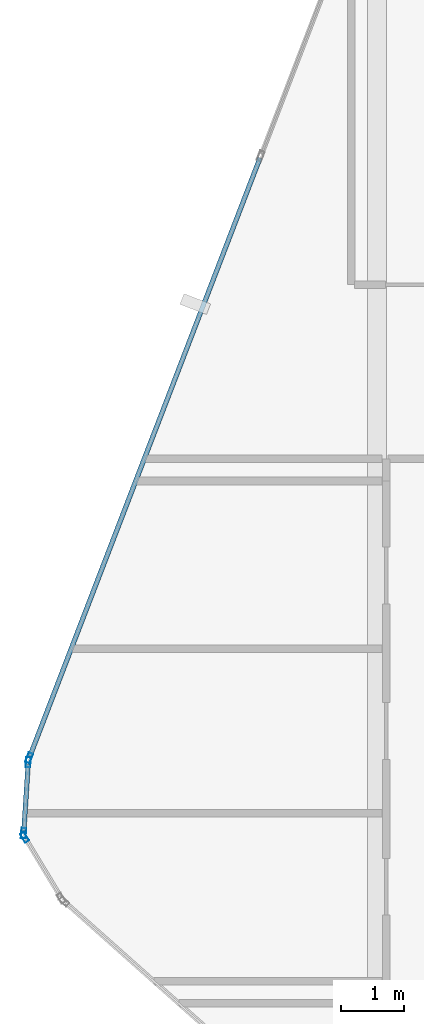
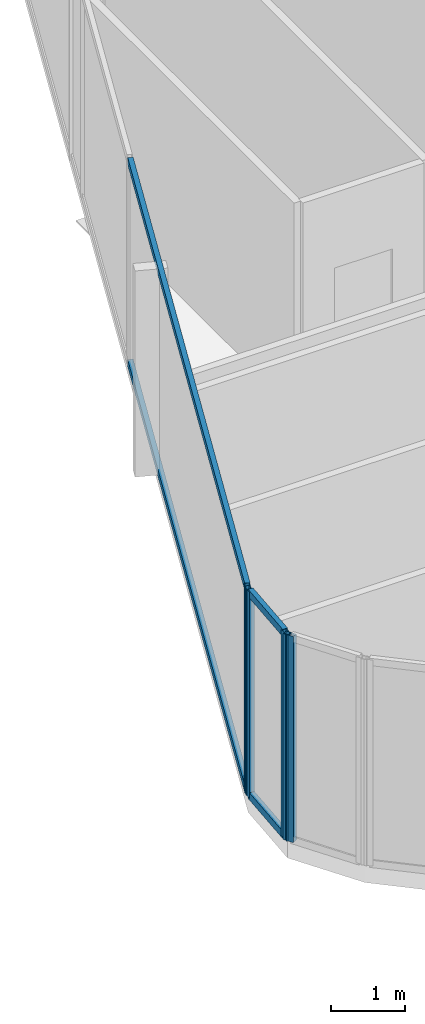
# One storey, part 8 of 28: 8 members, 3 elements without a shape of their own.
"""IFC4 building model written with IfcOpenShell, lengths in metres."""

from ifc_helpers import new_model, si_unit, direction, frame, origin, origin_2d, place, context, subcontext, project, spatial, hollow_rectangle, extrude, material, layer, layer_set, material_profile, profile_set, type_object, element, aggregate, save


model = new_model("IFC4")

# Units and contexts
model_context = context("Model", 3, precision=1e-05, world=origin(), true_north=direction((0.0, 1.0)))
body_context = subcontext(model_context, "Body", "Model", "MODEL_VIEW")
ifc_project = project(units=[si_unit("LENGTHUNIT", "METRE"), si_unit("AREAUNIT", "SQUARE_METRE"), si_unit("VOLUMEUNIT", "CUBIC_METRE"), si_unit("PLANEANGLEUNIT", "RADIAN"), si_unit("MASSUNIT", "GRAM", prefix="KILO")], contexts=[model_context])

# Site, building, storey
site_placement = place(None, origin())
site = spatial("IfcSite", under=ifc_project, at=site_placement, CompositionType="ELEMENT")
building_placement = place(site_placement, origin())
building = spatial("IfcBuilding", under=site, at=building_placement, Name="Keshet Zoharim Tower", CompositionType="ELEMENT")
storey_placement = place(building_placement, frame((0.0, 0.0, 251.0)))
storey = spatial("IfcBuildingStorey", under=building, at=storey_placement, Name="L62", CompositionType="ELEMENT", Elevation=251.0)

# Curtain wall, member
ifc_material = material(Name="Aluminium 6063-T6", Category="aluminium")
ifc_layer = layer(ifc_material, 0.260009765625)
ifc_layer_set = layer_set([ifc_layer], Name="Aluminium 6063-T6")
curtain_wall_type = type_object("IfcCurtainWallType", Name="CW-SYS-06", PredefinedType="NOTDEFINED", material=ifc_layer_set)
curtain_wall_1_placement = place(storey_placement, origin())
curtain_wall_1 = element("IfcCurtainWall", 1, at=curtain_wall_1_placement, inside=storey, type_object=curtain_wall_type, Name="L62 Unitised Curtain Wall 01", PredefinedType="NOTDEFINED")
ifc_material_profile_1 = material_profile(ifc_material, hollow_rectangle(XDim=0.074951171875, YDim=0.159912109375, WallThickness=0.00390625, at=origin_2d()), Name="MUL-75x160")
ifc_profile_set_1 = profile_set([ifc_material_profile_1], Name="Aluminium 6063-T6")
member_type_1 = type_object("IfcMemberType", Name="CWM-M15", PredefinedType="MULLION", material=ifc_profile_set_1)
member_1_placement = place(storey_placement, frame((3.43798828125, 22.77197265625, 0.0), z_axis=(0.0, 0.0, 1.0), x_axis=(-0.856826433805, -0.515604947933, 0.0)))
member_1 = element("IfcMember", 2, at=member_1_placement, type_object=member_type_1, Name="CW-06 mullion 2", PredefinedType="MULLION", context=body_context, shape_type="SweptSolid", body=[
    extrude(hollow_rectangle(XDim=0.074951171875, YDim=0.159912109375, WallThickness=0.00390625, at=origin_2d()), origin(), (0.0, 0.0, 1.0), 3.389892578125),
])
aggregate(curtain_wall_1, [member_1])

# Curtain wall, members
curtain_wall_2_placement = place(storey_placement, origin())
curtain_wall_2 = element("IfcCurtainWall", 3, at=curtain_wall_2_placement, inside=storey, type_object=curtain_wall_type, Name="L62 Unitised Curtain Wall 02", PredefinedType="NOTDEFINED")
member_2_placement = place(storey_placement, frame((3.42236328125, 22.8369140625, 0.0), z_axis=(0.0, 0.0, 1.0), x_axis=(-0.997916617186, 0.064516859374, 0.0)))
member_2 = element("IfcMember", 4, at=member_2_placement, type_object=member_type_1, Name="CW-06 mullion 1", PredefinedType="MULLION", context=body_context, shape_type="SweptSolid", body=[
    extrude(hollow_rectangle(XDim=0.074951171875, YDim=0.159912109375, WallThickness=0.00390625, at=origin_2d()), origin(), (0.0, 0.0, 1.0), 3.389892578125),
])
member_3_placement = place(storey_placement, frame((3.49462890625, 23.9580078125, 0.0), z_axis=(0.0, 0.0, 1.0), x_axis=(-0.997916617186, 0.064516859374, 0.0)))
member_3 = element("IfcMember", 5, at=member_3_placement, type_object=member_type_1, Name="CW-06 mullion 2", PredefinedType="MULLION", context=body_context, shape_type="SweptSolid", body=[
    extrude(hollow_rectangle(XDim=0.074951171875, YDim=0.159912109375, WallThickness=0.00390625, at=origin_2d()), origin(), (0.0, 0.0, 1.0), 3.389892578125),
])

# Curtain wall, member
curtain_wall_3_placement = place(storey_placement, origin())
curtain_wall_3 = element("IfcCurtainWall", 6, at=curtain_wall_3_placement, inside=storey, type_object=curtain_wall_type, Name="L62 Unitised Curtain Wall 03", PredefinedType="NOTDEFINED")
member_4_placement = place(storey_placement, frame((3.509521484375, 24.025634765625, 0.0), z_axis=(0.0, 0.0, 1.0), x_axis=(-0.933341404361, 0.358990003907, 0.0)))
member_4 = element("IfcMember", 7, at=member_4_placement, type_object=member_type_1, Name="CW-06 mullion 1", PredefinedType="MULLION", context=body_context, shape_type="SweptSolid", body=[
    extrude(hollow_rectangle(XDim=0.074951171875, YDim=0.159912109375, WallThickness=0.00390625, at=origin_2d()), origin(), (0.0, 0.0, 1.0), 3.389892578125),
])

# Member
ifc_material_profile_2 = material_profile(ifc_material, hollow_rectangle(XDim=0.074951171875, YDim=0.1201171875, WallThickness=0.00390625, at=origin_2d()), Name="TRN-75x120")
ifc_profile_set_2 = profile_set([ifc_material_profile_2], Name="Aluminium 6063-T6")
member_type_2 = type_object("IfcMemberType", Name="CWT-T12", PredefinedType="USERDEFINED", material=ifc_profile_set_2)
member_5_placement = place(storey_placement, frame((3.424560546875, 22.871826171875, 0.034912109375), z_axis=(0.064426947155, 0.997922426083, 0.0), x_axis=(-0.997922426083, 0.064426947155, 0.0)))
member_5 = element("IfcMember", 8, at=member_5_placement, type_object=member_type_2, Name="CW-06 transom 1.1", ObjectType="TRANSOM", PredefinedType="USERDEFINED", context=body_context, shape_type="SweptSolid", body=[
    extrude(hollow_rectangle(XDim=0.074951171875, YDim=0.1201171875, WallThickness=0.00390625, at=origin_2d()), origin(), (0.0, 0.0, 1.0), 1.053466796875),
])

member_6_placement = place(storey_placement, frame((3.424560546875, 22.871826171875, 3.35498046875), z_axis=(0.064426947155, 0.997922426083, 0.0), x_axis=(-0.997922426083, 0.064426947155, 0.0)))
member_6 = element("IfcMember", 9, at=member_6_placement, type_object=member_type_2, Name="CW-06 transom 1.2", ObjectType="TRANSOM", PredefinedType="USERDEFINED", context=body_context, shape_type="SweptSolid", body=[
    extrude(hollow_rectangle(XDim=0.074951171875, YDim=0.1201171875, WallThickness=0.00390625, at=origin_2d()), origin(), (0.0, 0.0, 1.0), 1.053466796875),
])

aggregate(curtain_wall_2, [member_2, member_3, member_5, member_6])

member_7_placement = place(storey_placement, frame((3.522216796875, 24.058349609375, 0.034912109375), z_axis=(0.358993631387, 0.93334000912, 0.0), x_axis=(-0.93334000912, 0.358993631387, 0.0)))
member_7 = element("IfcMember", 10, at=member_7_placement, type_object=member_type_2, Name="CW-06 transom 1.1", ObjectType="TRANSOM", PredefinedType="USERDEFINED", context=body_context, shape_type="SweptSolid", body=[
    extrude(hollow_rectangle(XDim=0.074951171875, YDim=0.1201171875, WallThickness=0.00390625, at=origin_2d()), origin(), (0.0, 0.0, 1.0), 10.1181640625),
])

member_8_placement = place(storey_placement, frame((3.522216796875, 24.058349609375, 3.35498046875), z_axis=(0.358993631387, 0.93334000912, 0.0), x_axis=(-0.93334000912, 0.358993631387, 0.0)))
member_8 = element("IfcMember", 11, at=member_8_placement, type_object=member_type_2, Name="CW-06 transom 1.2", ObjectType="TRANSOM", PredefinedType="USERDEFINED", context=body_context, shape_type="SweptSolid", body=[
    extrude(hollow_rectangle(XDim=0.074951171875, YDim=0.1201171875, WallThickness=0.00390625, at=origin_2d()), origin(), (0.0, 0.0, 1.0), 10.1181640625),
])

aggregate(curtain_wall_3, [member_4, member_7, member_8])

save(model, "model.ifc")
